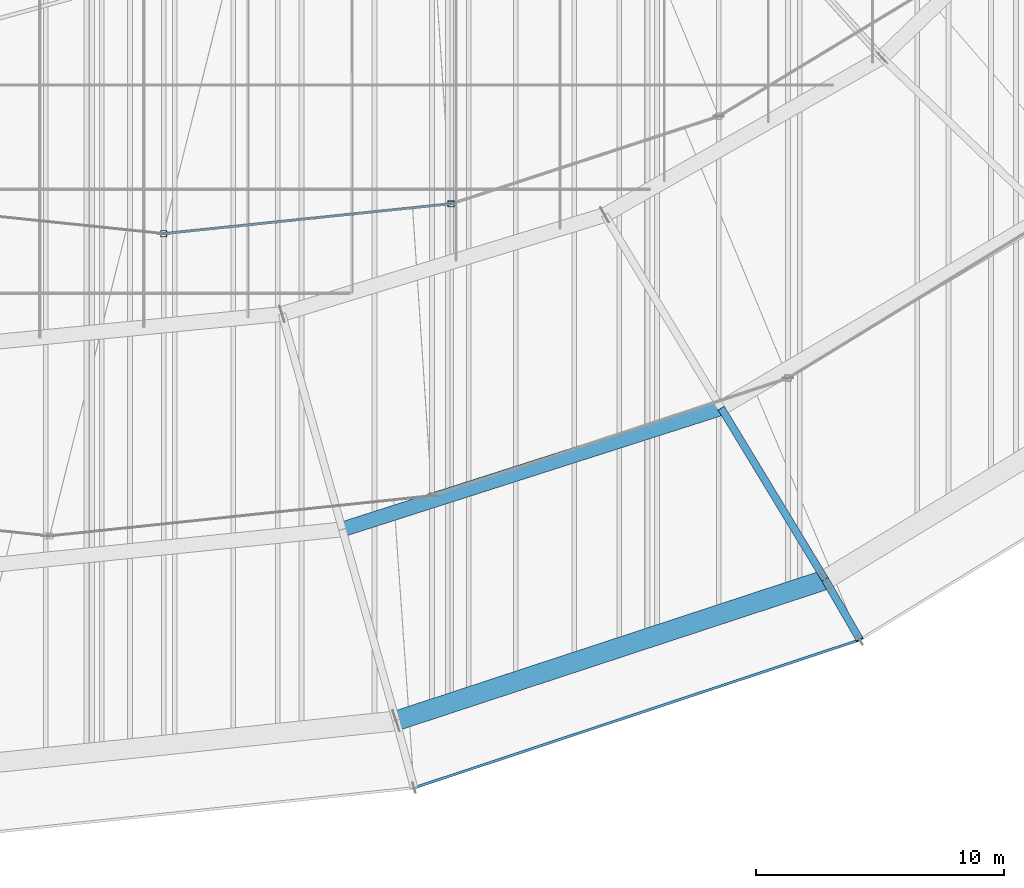
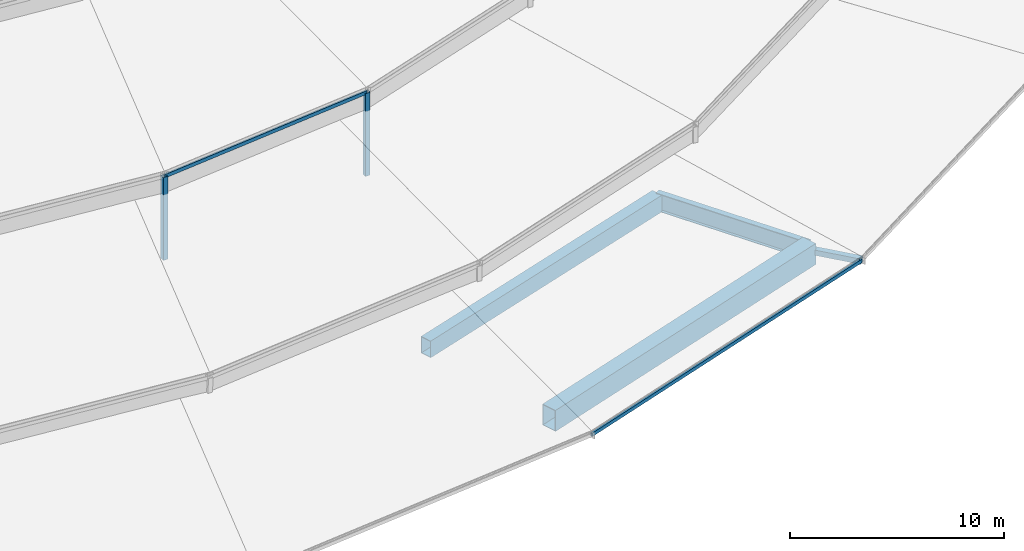
# One storey, part 38 of 184: 5 members, 3 beams.
"""IFC4 building model written with IfcOpenShell, lengths in metres."""

from ifc_helpers import new_model, si_unit, direction, frame, origin, origin_2d, place, context, subcontext, project, spatial, hollow_rectangle, i_section, extrude, material, material_profile, profile_set, type_object, element, save


model = new_model("IFC4")

# Units and contexts
model_context = context("Model", 3, precision=1e-05, world=origin(), true_north=direction((0.0, 1.0)))
body_context = subcontext(model_context, "Body", "Model", "MODEL_VIEW")
ifc_project = project(units=[si_unit("LENGTHUNIT", "METRE"), si_unit("AREAUNIT", "SQUARE_METRE"), si_unit("VOLUMEUNIT", "CUBIC_METRE"), si_unit("PLANEANGLEUNIT", "RADIAN"), si_unit("MASSUNIT", "GRAM", prefix="KILO")], contexts=[model_context])

# Site, building, storey
site_placement = place(None, origin())
site = spatial("IfcSite", under=ifc_project, at=site_placement, CompositionType="ELEMENT")
building_placement = place(site_placement, origin())
building = spatial("IfcBuilding", under=site, at=building_placement, Name="Kalgoora Escarpment Arena", CompositionType="ELEMENT")
storey_placement = place(building_placement, frame((0.0, 0.0, 27.60009765625)))
storey = spatial("IfcBuildingStorey", under=building, at=storey_placement, Name="Roof Level", CompositionType="ELEMENT", Elevation=27.60009765625)

# Beams
ifc_material_1 = material(Name="Structural steel Grade 350 (350 MPa)", Category="steel")
ifc_material_profile_1 = material_profile(ifc_material_1, hollow_rectangle(XDim=0.800048828125, YDim=1.199951171875, WallThickness=0.031982421875, at=origin_2d()))
ifc_profile_set_1 = profile_set([ifc_material_profile_1], Name="Structural steel Grade 350 (350 MPa)")
beam_type_1 = type_object("IfcBeamType", Name="BM-RING-BOX1200", PredefinedType="USERDEFINED", material=ifc_profile_set_1)
beam_1_placement = place(storey_placement, frame((110.983154296875, 8.942138671875, -1.4501953125), z_axis=(0.949954555117, 0.312388129115, 0.0), x_axis=(-0.312388129115, 0.949954555117, 0.0)))
element("IfcBeam", 1, at=beam_1_placement, inside=storey, type_object=beam_type_1, Name="Outer perimeter compression RING BEAM chord 20", ObjectType="GIRDER", PredefinedType="USERDEFINED", context=body_context, shape_type="SweptSolid", body=[
    extrude(hollow_rectangle(XDim=0.800048828125, YDim=1.199951171875, WallThickness=0.031982421875, at=origin_2d()), origin(), (0.0, 0.0, 1.0), 18.229248046875),
])
ifc_material_2 = material(Name="Structural steel Grade 350 (350 MPa)", Category="steel")
ifc_material_profile_2 = material_profile(ifc_material_2, hollow_rectangle(XDim=0.60009765625, YDim=0.949951171875, WallThickness=0.02490234375, at=origin_2d()))
ifc_profile_set_2 = profile_set([ifc_material_profile_2], Name="Structural steel Grade 350 (350 MPa)")
beam_type_2 = type_object("IfcBeamType", Name="BM-RING-BOX950", PredefinedType="USERDEFINED", material=ifc_profile_set_2)
beam_2_placement = place(storey_placement, frame((108.80908203125, 16.669677734375, -1.35009765625), z_axis=(0.952389888786, 0.304882763925, 0.0), x_axis=(-0.304882763925, 0.952389888786, 0.0)))
element("IfcBeam", 2, at=beam_2_placement, inside=storey, type_object=beam_type_2, Name="Concourse roof RING BEAM chord 20", ObjectType="GIRDER", PredefinedType="USERDEFINED", context=body_context, shape_type="SweptSolid", body=[
    extrude(hollow_rectangle(XDim=0.60009765625, YDim=0.949951171875, WallThickness=0.02490234375, at=origin_2d()), origin(), (0.0, 0.0, 1.0), 16.055419921875),
])
ifc_material_3 = material(Name="Structural steel Grade 350 (350 MPa)", Category="steel")
ifc_material_profile_3 = material_profile(ifc_material_3, i_section(OverallWidth=0.300048828125, OverallDepth=1.010009765625, WebThickness=0.01611328125, FlangeThickness=0.030029296875, at=origin_2d()))
ifc_profile_set_3 = profile_set([ifc_material_profile_3], Name="Structural steel Grade 350 (350 MPa)")
beam_type_3 = type_object("IfcBeamType", Name="BM-TRUSS-CHORD", PredefinedType="USERDEFINED", material=ifc_profile_set_3)
beam_3_placement = place(storey_placement, frame((128.300048828125, 14.63671875, -1.400146484375), z_axis=(-0.518368338661, 0.855068205906, 0.012354299765), x_axis=(-0.85513346736, -0.518407902139, 0.0)))
element("IfcBeam", 3, at=beam_3_placement, inside=storey, type_object=beam_type_3, Name="Outer radial petal support girder R21", ObjectType="GIRDER", PredefinedType="USERDEFINED", context=body_context, shape_type="SweptSolid", body=[
    extrude(i_section(OverallWidth=0.300048828125, OverallDepth=1.010009765625, WebThickness=0.01611328125, FlangeThickness=0.030029296875, at=origin_2d()), origin(), (0.0, 0.0, 1.0), 8.102294921875),
])

# Members
ifc_material_4 = material(Name="Structural steel C450 (450 MPa)", Category="steel")
ifc_material_profile_4 = material_profile(ifc_material_4, hollow_rectangle(XDim=0.25, YDim=0.25, WallThickness=0.012451171875, at=origin_2d()))
ifc_profile_set_4 = profile_set([ifc_material_profile_4], Name="Structural steel C450 (450 MPa)")
member_type_1 = type_object("IfcMemberType", Name="MEM-PETAL-POST", PredefinedType="POST", material=ifc_profile_set_4)
for number, where, z_axis, x_axis, name in (
    (4, (101.60009765625, 28.60009765625, -1.02001953125), (0.0, 0.0, 1.0), (1.0, 0.0, 0.0), "Petal RP3 vertical support post S19"),
    (5, (113.195068359375, 29.80615234375, -1.02001953125), (0.0, 0.0, 1.0), (1.0, 0.0, 0.0), "Petal RP3 vertical support post S20"),
):
    element("IfcMember", number, at=place(storey_placement, frame(where, z_axis=z_axis, x_axis=x_axis)), inside=storey, type_object=member_type_1, Name=name, PredefinedType="POST", context=body_context, shape_type="SweptSolid", body=[
        extrude(hollow_rectangle(XDim=0.25, YDim=0.25, WallThickness=0.012451171875, at=origin_2d()), origin(), (0.0, 0.0, 1.0), 4.724853515625),
    ])
ifc_material_5 = material(Name="Structural steel C350 (350 MPa)", Category="steel")
ifc_material_profile_5 = material_profile(ifc_material_5, hollow_rectangle(XDim=0.10009765625, YDim=0.199951171875, WallThickness=0.009033203125, at=origin_2d()))
ifc_profile_set_5 = profile_set([ifc_material_profile_5], Name="Structural steel C350 (350 MPa)")
member_type_2 = type_object("IfcMemberType", Name="MEM-PURLIN-RHS", PredefinedType="PURLIN", material=ifc_profile_set_5)
member_1_placement = place(storey_placement, frame((111.7080078125, 6.237548828125, -1.02001953125), z_axis=(0.949049684194, 0.315126477675, 0.0), x_axis=(-0.315126477675, 0.949049684194, 0.0)))
element("IfcMember", 6, at=member_1_placement, inside=storey, type_object=member_type_2, Name="Petal RP1 eave support ring purlin S20", PredefinedType="PURLIN", context=body_context, shape_type="SweptSolid", body=[
    extrude(hollow_rectangle(XDim=0.10009765625, YDim=0.199951171875, WallThickness=0.009033203125, at=origin_2d()), origin(), (0.0, 0.0, 1.0), 18.957763671875),
])
member_2_placement = place(storey_placement, frame((101.60009765625, 28.60009765625, 3.684814453125), z_axis=(0.994633909225, 0.10345717288, 0.0), x_axis=(-0.10345717288, 0.994633909225, 0.0)))
element("IfcMember", 7, at=member_2_placement, inside=storey, type_object=member_type_2, Name="Petal RP3 eave support ring purlin S19", PredefinedType="PURLIN", context=body_context, shape_type="SweptSolid", body=[
    extrude(hollow_rectangle(XDim=0.10009765625, YDim=0.199951171875, WallThickness=0.009033203125, at=origin_2d()), origin(), (0.0, 0.0, 1.0), 11.657470703125),
])
ifc_material_6 = material(Name="Structural steel C450 (450 MPa)", Category="steel")
ifc_material_profile_6 = material_profile(ifc_material_6, hollow_rectangle(XDim=0.300048828125, YDim=0.300048828125, WallThickness=0.012451171875, at=origin_2d()))
ifc_profile_set_6 = profile_set([ifc_material_profile_6], Name="Structural steel C450 (450 MPa)")
member_type_3 = type_object("IfcMemberType", Name="MEM-TRUSS-POST", PredefinedType="POST", material=ifc_profile_set_6)
member_3_placement = place(storey_placement, frame((128.300048828125, 14.63671875, -1.400146484375), z_axis=(0.494918394719, -0.857346427406, 0.141466907734), x_axis=(0.866056369097, 0.49994636267, 0.0)))
element("IfcMember", 8, at=member_3_placement, inside=storey, type_object=member_type_3, Name="Petal RP1 eave strut S21", PredefinedType="POST", context=body_context, shape_type="SweptSolid", body=[
    extrude(hollow_rectangle(XDim=0.300048828125, YDim=0.300048828125, WallThickness=0.012451171875, at=origin_2d()), origin(), (0.0, 0.0, 1.0), 2.82861328125),
])

save(model, "model.ifc")
